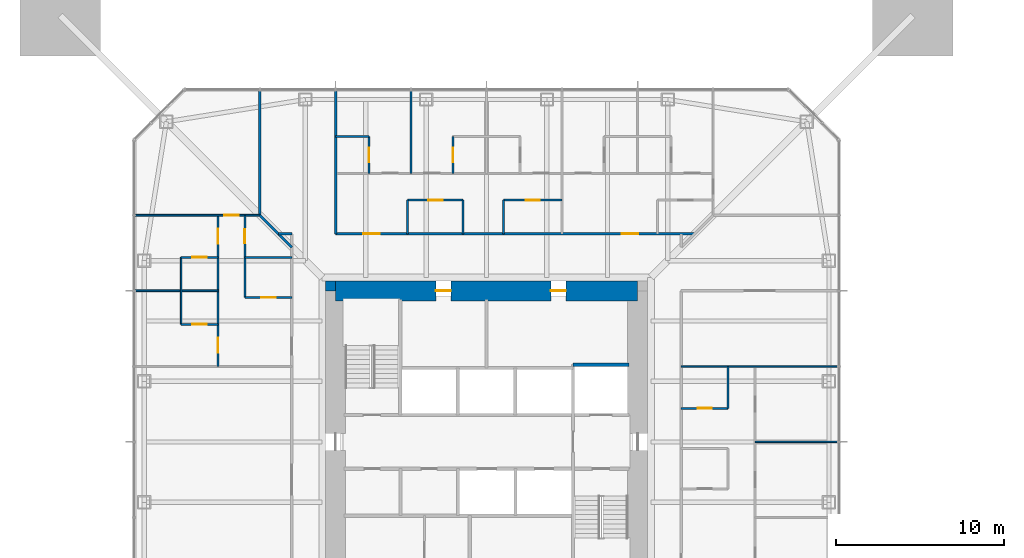
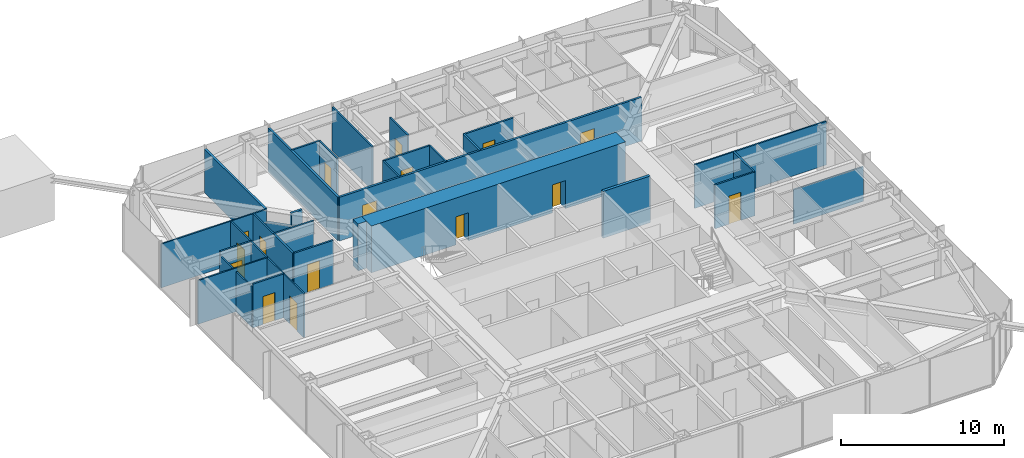
# One storey, part 13 of 23: 30 walls, 16 doors, 16 openings.
"""IFC4 building model written with IfcOpenShell, lengths in metres."""

import ifcopenshell
import ifcopenshell.guid

model = None  # the IFC model being written
_history = None  # IfcOwnerHistory: only IFC2X3 demands one
_inside = {}  # id of a spatial element -> (the spatial element, [elements in it])
_under = {}  # id of a project, library or spatial element -> (it, [spatial elements below it])
_declared = {}  # id of a project -> (the project, [libraries it declares])
_typed = {}  # id of a type object -> (the type object, [elements of that type])
_made_of = {}  # id of a material, layer set ... -> (it, [elements and type objects made of it])


def new_model(schema):
    """Start an empty IFC model of exactly this schema.

    Asked for "IFC4X3", IfcOpenShell would pick the latest addendum, in which some entities
    have other attributes; the version numbers below select the first issue.
    IFC2X3 requires an IfcOwnerHistory on every rooted entity: one is made here for all.
    """
    global model, _history
    if schema == "IFC4X3":
        model = ifcopenshell.file(schema_version=(4, 3, 0, 0))
    else:
        model = ifcopenshell.file(schema=schema)
    _inside.clear()
    _under.clear()
    _declared.clear()
    _typed.clear()
    _made_of.clear()
    _history = None
    if model.schema == "IFC2X3":
        org = make("IfcOrganization", Name="unknown")
        user = make(
            "IfcPersonAndOrganization",
            ThePerson=make("IfcPerson", FamilyName="unknown"),
            TheOrganization=org,
        )
        app = make(
            "IfcApplication",
            ApplicationDeveloper=org,
            Version="unknown",
            ApplicationFullName="unknown",
            ApplicationIdentifier="unknown",
        )
        _history = make(
            "IfcOwnerHistory",
            OwningUser=user,
            OwningApplication=app,
            ChangeAction="ADDED",
            CreationDate=0,
        )
    return model


def make(cls, **values):
    """One entity of the class cls with the attributes given. An attribute that is None is left unset."""
    return model.create_entity(
        cls, **{name: value for name, value in values.items() if value is not None}
    )


def rooted(cls, **values):
    """An entity with a GlobalId (a new one), such as an element, a storey or a relation."""
    return make(cls, GlobalId=ifcopenshell.guid.new(), OwnerHistory=_history, **values)


def si_unit(unit_type, name, prefix=None):
    """IfcSIUnit, for example si_unit("LENGTHUNIT", "METRE", prefix="MILLI")."""
    return make("IfcSIUnit", UnitType=unit_type, Prefix=prefix, Name=name)


def assignment(units):
    """IfcUnitAssignment: the units of a project."""
    return None if units is None else make("IfcUnitAssignment", Units=units)


def point(xyz):
    """IfcCartesianPoint."""
    return None if xyz is None else make("IfcCartesianPoint", Coordinates=xyz)


def direction(xyz):
    """IfcDirection."""
    return None if xyz is None else make("IfcDirection", DirectionRatios=xyz)


def frame(location, z_axis=None, x_axis=None):
    """IfcAxis2Placement3D, a coordinate frame: its origin and axes. An axis left out is left unset."""
    return make(
        "IfcAxis2Placement3D",
        Location=point(location),
        Axis=direction(z_axis),
        RefDirection=direction(x_axis),
    )


def frame_2d(location, x_axis=None):
    """IfcAxis2Placement2D, a coordinate frame in the plane: its origin and x axis."""
    return make(
        "IfcAxis2Placement2D", Location=point(location), RefDirection=direction(x_axis)
    )


def origin():
    """The frame at (0, 0, 0) with its axes left unset."""
    return frame((0.0, 0.0, 0.0))


def place(relative_to, where):
    """IfcLocalPlacement: puts the frame where relative to a parent placement (None: the world)."""
    return make(
        "IfcLocalPlacement", PlacementRelTo=relative_to, RelativePlacement=where
    )


def context(
    kind, dimensions, precision=None, world=None, true_north=None, identifier=None
):
    """IfcGeometricRepresentationContext, for example the 3D "Model" context."""
    return make(
        "IfcGeometricRepresentationContext",
        ContextIdentifier=identifier,
        ContextType=kind,
        CoordinateSpaceDimension=dimensions,
        Precision=precision,
        WorldCoordinateSystem=world,
        TrueNorth=true_north,
    )


def subcontext(parent, identifier, kind, view, scale=None):
    """IfcGeometricRepresentationSubContext, for example "Body" below "Model"."""
    return make(
        "IfcGeometricRepresentationSubContext",
        ContextIdentifier=identifier,
        ContextType=kind,
        ParentContext=parent,
        TargetScale=scale,
        TargetView=view,
    )


def project(units=None, contexts=None):
    """IfcProject with its units and contexts."""
    return rooted(
        "IfcProject",
        Name="project",
        RepresentationContexts=contexts,
        UnitsInContext=assignment(units),
    )


def spatial(cls, under=None, at=None, **own):
    """A site, building, storey or space (cls), placed at a placement, below another one or the project."""
    s = rooted(cls, ObjectPlacement=at, **own)
    if under is not None:
        _under.setdefault(under.id(), (under, []))[1].append(s)
    return s


def profile(cls, at=None, kind="AREA", **sizes):
    """A parametric profile (cls). Its sizes go by their IFC names, for example OverallWidth=200.0."""
    return make(cls, ProfileType=kind, Position=at, **sizes)


def rectangle(**sizes):
    """IfcRectangleProfileDef."""
    return profile("IfcRectangleProfileDef", **sizes)


def extrude(swept, where, along, depth):
    """IfcExtrudedAreaSolid: the profile swept, set in the frame where, extruded along a direction by depth."""
    return make(
        "IfcExtrudedAreaSolid",
        SweptArea=swept,
        Position=where,
        ExtrudedDirection=direction(along),
        Depth=depth,
    )


def shape(context_of_items, identifier, shape_type, items):
    """IfcShapeRepresentation: the items that make up one representation, for example the "Body"."""
    return make(
        "IfcShapeRepresentation",
        ContextOfItems=context_of_items,
        RepresentationIdentifier=identifier,
        RepresentationType=shape_type,
        Items=items,
    )


def material(Name=None, Category=None):
    """IfcMaterial."""
    return make("IfcMaterial", Name=Name, Category=Category)


def layer(
    of_material, thickness, ventilated=None, Name=None, Category=None, Priority=None
):
    """IfcMaterialLayer: one layer of a wall or slab, of a material (None: an air gap)."""
    return make(
        "IfcMaterialLayer",
        Material=of_material,
        LayerThickness=thickness,
        IsVentilated=ventilated,
        Name=Name,
        Category=Category,
        Priority=Priority,
    )


def layer_set(layers, Name=None):
    """IfcMaterialLayerSet."""
    return make("IfcMaterialLayerSet", MaterialLayers=layers, LayerSetName=Name)


def made_of(thing, what):
    """Note that an element or type object is made of a material, layer set ...; save() writes the relation."""
    if what is not None:
        _made_of.setdefault(what.id(), (what, []))[1].append(thing)
    return thing


def type_object(cls, material=None, **own):
    """A type object (cls), such as IfcWallType, which elements share."""
    return made_of(rooted(cls, **own), material)


def element(
    cls,
    number,
    at=None,
    inside=None,
    cuts=None,
    type_object=None,
    material=None,
    context=None,
    identifier="Body",
    shape_type=None,
    held_by="IfcProductDefinitionShape",
    body=None,
    shapes=None,
    **own,
):
    """One element of the class cls, such as IfcWall. Its Tag is "e" and its number.

    at: its placement. inside: the storey or other place that contains it. cuts: it is an
    opening in that element (IfcRelVoidsElement). A single representation is given by context,
    identifier, shape_type and body (its items); several are given by shapes. held_by: the class
    of the entity that holds the representations. save() writes the other relations.
    """
    e = rooted(cls, Tag="e%d" % number, ObjectPlacement=at, **own)
    if body is not None:
        shapes = [shape(context, identifier, shape_type, body)]
    if shapes is not None:
        e.Representation = make(held_by, Representations=shapes)
    if inside is not None:
        _inside.setdefault(inside.id(), (inside, []))[1].append(e)
    if cuts is not None:
        rooted(
            "IfcRelVoidsElement", RelatingBuildingElement=cuts, RelatedOpeningElement=e
        )
    if type_object is not None:
        _typed.setdefault(type_object.id(), (type_object, []))[1].append(e)
    return made_of(e, material)


def fill(opening, filler):
    """IfcRelFillsElement: the door or window that sits in an opening."""
    return rooted(
        "IfcRelFillsElement",
        RelatingOpeningElement=opening,
        RelatedBuildingElement=filler,
    )


def aggregate(whole, parts):
    """IfcRelAggregates: a whole, such as a stair, and the parts it consists of."""
    return rooted("IfcRelAggregates", RelatingObject=whole, RelatedObjects=parts)


def save(model, path):
    """Write the relations noted so far, then the file.

    IfcRelAggregates (storeys below a building ...), IfcRelContainedInSpatialStructure (elements
    in a storey), IfcRelDefinesByType, IfcRelAssociatesMaterial and IfcRelDeclares: one each for
    every whole, place, type object, material and project.
    """
    for whole, parts in _under.values():
        aggregate(whole, parts)
    for where, things in _inside.values():
        rooted(
            "IfcRelContainedInSpatialStructure",
            RelatedElements=things,
            RelatingStructure=where,
        )
    for kind, things in _typed.values():
        rooted("IfcRelDefinesByType", RelatedObjects=things, RelatingType=kind)
    for what, things in _made_of.values():
        rooted("IfcRelAssociatesMaterial", RelatedObjects=things, RelatingMaterial=what)
    for by, libraries in _declared.values():
        rooted("IfcRelDeclares", RelatingContext=by, RelatedDefinitions=libraries)
    model.write(path)


model = new_model("IFC4")

# Units and contexts
model_context = context("Model", 3, precision=1e-05, world=origin(), true_north=direction((0.0, 1.0)))
body_context = subcontext(model_context, "Body", "Model", "MODEL_VIEW")
ifc_project = project(units=[si_unit("LENGTHUNIT", "METRE"), si_unit("AREAUNIT", "SQUARE_METRE"), si_unit("VOLUMEUNIT", "CUBIC_METRE"), si_unit("PLANEANGLEUNIT", "RADIAN"), si_unit("MASSUNIT", "GRAM", prefix="KILO")], contexts=[model_context])

# Site, building, storey
site_placement = place(None, origin())
site = spatial("IfcSite", under=ifc_project, at=site_placement, CompositionType="ELEMENT")
building_placement = place(site_placement, origin())
building = spatial("IfcBuilding", under=site, at=building_placement, Name="Iwan Alto Co-Living Towers", CompositionType="ELEMENT")
storey_placement = place(building_placement, frame((0.0, 0.0, 122.5)))
storey = spatial("IfcBuildingStorey", under=building, at=storey_placement, Name="L33", CompositionType="ELEMENT", Elevation=122.5)

# Wall
ifc_material_1 = material(Name="Gypsum board")
ifc_layer_1 = layer(ifc_material_1, 0.02490234375, Name="Board", Category="Finish")
ifc_material_2 = material(Name="Steel ASTM A1003 ST33H cold-formed studs", Category="steel")
ifc_layer_2 = layer(ifc_material_2, 0.10009765625, Name="Studs", Category="Framing")
ifc_layer_3 = layer(ifc_material_1, 0.02490234375, Name="Board", Category="Finish")
ifc_layer_set_1 = layer_set([ifc_layer_1, ifc_layer_2, ifc_layer_3], Name="CORRIDOR WALL 150")
wall_type_1 = type_object("IfcWallType", Name="CORRIDOR WALL 150", PredefinedType="PARTITIONING", material=ifc_layer_set_1)
wall_1_placement = place(storey_placement, frame((-12.39990234375, 12.39990234375, 0.0), z_axis=(0.0, 0.0, 1.0), x_axis=(1.0, 0.0, 0.0)))
element("IfcWall", 1, at=wall_1_placement, inside=storey, type_object=wall_type_1, Name="Partition L33", PredefinedType="PARTITIONING", context=body_context, shape_type="SweptSolid", body=[
    extrude(rectangle(XDim=0.7998046875, YDim=0.14990234375, at=frame_2d((0.39990234375, 0.0))), origin(), (0.0, 0.0, 1.0), 3.27001953125),
])

# Wall, openings, doors
wall_2_placement = place(storey_placement, frame((-9.0, 12.39990234375, 0.0), z_axis=(0.0, 0.0, 1.0), x_axis=(1.0, 0.0, 0.0)))
wall_2 = element("IfcWall", 2, at=wall_2_placement, inside=storey, type_object=wall_type_1, Name="Partition L33", PredefinedType="PARTITIONING", context=body_context, shape_type="SweptSolid", body=[
    extrude(rectangle(XDim=21.39990234375, YDim=0.14990234375, at=frame_2d((10.699951171875, 0.0))), origin(), (0.0, 0.0, 1.0), 3.27001953125),
])
opening_1_placement = place(wall_2_placement, frame((17.050048828125, 0.0, 0.0)))
opening_1 = element("IfcOpeningElement", 3, at=opening_1_placement, cuts=wall_2, Name="Opening D3", PredefinedType="OPENING", context=body_context, shape_type="SweptSolid", body=[
    extrude(rectangle(XDim=1.0, YDim=2.10009765625, at=frame_2d((0.5, 1.050048828125))), frame((0.0, 0.0849609375, 0.0), z_axis=(0.0, -1.0, 0.0), x_axis=(1.0, 0.0, 0.0)), (0.0, 0.0, 1.0), 0.169921875),
])
opening_2_placement = place(wall_2_placement, frame((1.64990234375, 0.0, 0.0)))
opening_2 = element("IfcOpeningElement", 4, at=opening_2_placement, cuts=wall_2, Name="Opening D3", PredefinedType="OPENING", context=body_context, shape_type="SweptSolid", body=[
    extrude(rectangle(XDim=1.0, YDim=2.10009765625, at=frame_2d((0.5, 1.050048828125))), frame((0.0, 0.0849609375, 0.0), z_axis=(0.0, -1.0, 0.0), x_axis=(1.0, 0.0, 0.0)), (0.0, 0.0, 1.0), 0.169921875),
])
ifc_material_3 = material(Name="Steel frame with timber leaf", Category="steel")
door_type_1 = type_object("IfcDoorType", Name="FLAT ENTRANCE DOOR FD30S 1000X2100", OperationType="SINGLE_SWING_LEFT", PredefinedType="DOOR", material=ifc_material_3)
door_1_placement = place(opening_1_placement, origin())
door_1 = element("IfcDoor", 5, at=door_1_placement, inside=storey, type_object=door_type_1, Name="Cluster lounge door L33", OperationType="SINGLE_SWING_RIGHT", OverallHeight=2.10009765625, OverallWidth=1.0, PredefinedType="DOOR", context=body_context, shape_type="SweptSolid", body=[
    extrude(rectangle(XDim=1.0, YDim=2.10009765625, at=frame_2d((0.5, 1.050048828125))), frame((0.0, 0.02490234375, 0.0), z_axis=(0.0, -1.0, 0.0), x_axis=(1.0, 0.0, 0.0)), (0.0, 0.0, 1.0), 0.050048828125),
])
fill(opening_1, door_1)
door_2_placement = place(opening_2_placement, origin())
door_2 = element("IfcDoor", 6, at=door_2_placement, inside=storey, type_object=door_type_1, Name="Cluster lounge and shared kitchen door L33", OperationType="SINGLE_SWING_LEFT", OverallHeight=2.10009765625, OverallWidth=1.0, PredefinedType="DOOR", context=body_context, shape_type="SweptSolid", body=[
    extrude(rectangle(XDim=1.0, YDim=2.10009765625, at=frame_2d((0.5, 1.050048828125))), frame((0.0, 0.02490234375, 0.0), z_axis=(0.0, -1.0, 0.0), x_axis=(1.0, 0.0, 0.0)), (0.0, 0.0, 1.0), 0.050048828125),
])
fill(opening_2, door_2)

# Walls
wall_3_placement = place(storey_placement, frame((-9.0, 12.39990234375, 0.0), z_axis=(0.0, 0.0, 1.0), x_axis=(0.0, 1.0, 0.0)))
element("IfcWall", 7, at=wall_3_placement, inside=storey, type_object=wall_type_1, Name="Partition L33", PredefinedType="PARTITIONING", context=body_context, shape_type="SweptSolid", body=[
    extrude(rectangle(XDim=8.5400390625, YDim=0.14990234375, at=frame_2d((4.27001953125, 0.0))), origin(), (0.0, 0.0, 1.0), 3.27001953125),
])
wall_4_placement = place(storey_placement, frame((-13.5, 13.5, 0.0), z_axis=(0.0, 0.0, 1.0), x_axis=(0.0, 1.0, 0.0)))
element("IfcWall", 8, at=wall_4_placement, inside=storey, type_object=wall_type_1, Name="Partition L33", PredefinedType="PARTITIONING", context=body_context, shape_type="SweptSolid", body=[
    extrude(rectangle(XDim=7.43994140625, YDim=0.14990234375, at=frame_2d((3.719970703125, 0.0))), origin(), (0.0, 0.0, 1.0), 3.27001953125),
])
wall_5_placement = place(storey_placement, frame((-11.60009765625, 11.60009765625, 0.0), z_axis=(0.0, 0.0, 1.0), x_axis=(-0.707106781187, 0.707106781187, 0.0)))
element("IfcWall", 9, at=wall_5_placement, inside=storey, type_object=wall_type_1, Name="Partition L33", PredefinedType="PARTITIONING", context=body_context, shape_type="SweptSolid", body=[
    extrude(rectangle(XDim=2.686767578125, YDim=0.14990234375, at=frame_2d((1.34326171875, 0.0))), origin(), (0.0, 0.0, 1.0), 2.343017578125),
])
ifc_layer_4 = layer(ifc_material_1, 0.012451171875, Name="Board", Category="Finish")
ifc_layer_5 = layer(ifc_material_2, 0.074951171875, Name="Studs", Category="Framing")
ifc_layer_6 = layer(ifc_material_1, 0.012451171875, Name="Board", Category="Finish")
ifc_layer_set_2 = layer_set([ifc_layer_4, ifc_layer_5, ifc_layer_6], Name="PARTITION 100")
wall_type_2 = type_object("IfcWallType", Name="PARTITION 100", PredefinedType="PARTITIONING", material=ifc_layer_set_2)
wall_6_placement = place(storey_placement, frame((16.0, 0.0, 0.0), z_axis=(0.0, 0.0, 1.0), x_axis=(1.0, 0.0, 0.0)))
element("IfcWall", 10, at=wall_6_placement, inside=storey, type_object=wall_type_2, Name="Partition L33", PredefinedType="PARTITIONING", context=body_context, shape_type="SweptSolid", body=[
    extrude(rectangle(XDim=4.93994140625, YDim=0.10009765625, at=frame_2d((2.469970703125, 0.0))), origin(), (0.0, 0.0, 1.0), 2.586669921875),
])
wall_7_placement = place(storey_placement, frame((11.60009765625, 4.5, 0.0), z_axis=(0.0, 0.0, 1.0), x_axis=(1.0, 0.0, 0.0)))
element("IfcWall", 11, at=wall_7_placement, inside=storey, type_object=wall_type_2, Name="Partition L33", PredefinedType="PARTITIONING", context=body_context, shape_type="SweptSolid", body=[
    extrude(rectangle(XDim=9.33984375, YDim=0.10009765625, at=frame_2d((4.669921875, 0.0))), origin(), (0.0, 0.0, 1.0), 3.27001953125),
])
wall_8_placement = place(storey_placement, frame((-20.93994140625, 9.0, 0.0), z_axis=(0.0, 0.0, 1.0), x_axis=(1.0, 0.0, 0.0)))
element("IfcWall", 12, at=wall_8_placement, inside=storey, type_object=wall_type_2, Name="Partition L33", PredefinedType="PARTITIONING", context=body_context, shape_type="SweptSolid", body=[
    extrude(rectangle(XDim=4.93994140625, YDim=0.10009765625, at=frame_2d((2.469970703125, 0.0))), origin(), (0.0, 0.0, 1.0), 3.27001953125),
])

# Wall, opening, door
wall_9_placement = place(storey_placement, frame((-20.93994140625, 13.5, 0.0), z_axis=(0.0, 0.0, 1.0), x_axis=(1.0, 0.0, 0.0)))
wall_9 = element("IfcWall", 13, at=wall_9_placement, inside=storey, type_object=wall_type_2, Name="Partition L33", PredefinedType="PARTITIONING", context=body_context, shape_type="SweptSolid", body=[
    extrude(rectangle(XDim=7.43994140625, YDim=0.10009765625, at=frame_2d((3.719970703125, 0.0))), origin(), (0.0, 0.0, 1.0), 3.27001953125),
])
opening_3_placement = place(wall_9_placement, frame((5.31494140625, 0.0, 0.0)))
opening_3 = element("IfcOpeningElement", 14, at=opening_3_placement, cuts=wall_9, Name="Opening D2", PredefinedType="OPENING", context=body_context, shape_type="SweptSolid", body=[
    extrude(rectangle(XDim=0.85009765625, YDim=2.10009765625, at=frame_2d((0.425048828125, 1.050048828125))), frame((0.0, 0.06005859375, 0.0), z_axis=(0.0, -1.0, 0.0), x_axis=(1.0, 0.0, 0.0)), (0.0, 0.0, 1.0), 0.1201171875),
])
ifc_material_4 = material(Name="Timber leaf in steel frame", Category="steel")
door_type_2 = type_object("IfcDoorType", Name="ROOM DOOR 850X2100", OperationType="SINGLE_SWING_LEFT", PredefinedType="DOOR", material=ifc_material_4)
door_3_placement = place(opening_3_placement, origin())
door_3 = element("IfcDoor", 15, at=door_3_placement, inside=storey, type_object=door_type_2, Name="Shared kitchen and lounge door L33", OperationType="SINGLE_SWING_RIGHT", OverallHeight=2.10009765625, OverallWidth=0.85009765625, PredefinedType="DOOR", context=body_context, shape_type="SweptSolid", body=[
    extrude(rectangle(XDim=0.85009765625, YDim=2.10009765625, at=frame_2d((0.425048828125, 1.050048828125))), frame((0.0, 0.02490234375, 0.0), z_axis=(0.0, -1.0, 0.0), x_axis=(1.0, 0.0, 0.0)), (0.0, 0.0, 1.0), 0.050048828125),
])
fill(opening_3, door_3)

# Wall
wall_10_placement = place(storey_placement, frame((-4.5, 16.0, 0.0), z_axis=(0.0, 0.0, 1.0), x_axis=(0.0, 1.0, 0.0)))
element("IfcWall", 16, at=wall_10_placement, inside=storey, type_object=wall_type_2, Name="Partition L33", PredefinedType="PARTITIONING", context=body_context, shape_type="SweptSolid", body=[
    extrude(rectangle(XDim=4.93994140625, YDim=0.10009765625, at=frame_2d((2.469970703125, 0.0))), origin(), (0.0, 0.0, 1.0), 3.27001953125),
])

# Wall, openings, doors
wall_11_placement = place(storey_placement, frame((-16.0, 4.5, 0.0), z_axis=(0.0, 0.0, 1.0), x_axis=(0.0, 1.0, 0.0)))
wall_11 = element("IfcWall", 17, at=wall_11_placement, inside=storey, type_object=wall_type_2, Name="Partition L33", PredefinedType="PARTITIONING", context=body_context, shape_type="SweptSolid", body=[
    extrude(rectangle(XDim=9.0, YDim=0.10009765625, at=frame_2d((4.5, 0.0))), origin(), (0.0, 0.0, 1.0), 3.27001953125),
])
opening_4_placement = place(wall_11_placement, frame((7.300048828125, 0.0, 0.0)))
opening_4 = element("IfcOpeningElement", 18, at=opening_4_placement, cuts=wall_11, Name="Opening D1", PredefinedType="OPENING", context=body_context, shape_type="SweptSolid", body=[
    extrude(rectangle(XDim=0.89990234375, YDim=2.10009765625, at=frame_2d((0.449951171875, 1.050048828125))), frame((0.0, 0.06005859375, 0.0), z_axis=(0.0, -1.0, 0.0), x_axis=(1.0, 0.0, 0.0)), (0.0, 0.0, 1.0), 0.1201171875),
])
opening_5_placement = place(wall_11_placement, frame((0.800048828125, 0.0, 0.0)))
opening_5 = element("IfcOpeningElement", 19, at=opening_5_placement, cuts=wall_11, Name="Opening D1", PredefinedType="OPENING", context=body_context, shape_type="SweptSolid", body=[
    extrude(rectangle(XDim=0.89990234375, YDim=2.10009765625, at=frame_2d((0.449951171875, 1.050048828125))), frame((0.0, 0.06005859375, 0.0), z_axis=(0.0, -1.0, 0.0), x_axis=(1.0, 0.0, 0.0)), (0.0, 0.0, 1.0), 0.1201171875),
])
ifc_material_5 = material(Name="Timber leaf in steel frame", Category="steel")
door_type_3 = type_object("IfcDoorType", Name="BEDROOM DOOR 900X2100", OperationType="SINGLE_SWING_LEFT", PredefinedType="DOOR", material=ifc_material_5)
door_4_placement = place(opening_4_placement, frame((0.89990234375, 0.0, 0.0), z_axis=(0.0, 0.0, 1.0), x_axis=(-1.0, 0.0, 0.0)))
door_4 = element("IfcDoor", 20, at=door_4_placement, inside=storey, type_object=door_type_3, Name="Study bedroom door L33", OperationType="SINGLE_SWING_LEFT", OverallHeight=2.10009765625, OverallWidth=0.89990234375, PredefinedType="DOOR", context=body_context, shape_type="SweptSolid", body=[
    extrude(rectangle(XDim=0.89990234375, YDim=2.10009765625, at=frame_2d((0.449951171875, 1.050048828125))), frame((0.0, 0.02490234375, 0.0), z_axis=(0.0, -1.0, 0.0), x_axis=(1.0, 0.0, 0.0)), (0.0, 0.0, 1.0), 0.050048828125),
])
fill(opening_4, door_4)
door_5_placement = place(opening_5_placement, frame((0.89990234375, 0.0, 0.0), z_axis=(0.0, 0.0, 1.0), x_axis=(-1.0, 0.0, 0.0)))
door_5 = element("IfcDoor", 21, at=door_5_placement, inside=storey, type_object=door_type_3, Name="Study bedroom door L33", OperationType="SINGLE_SWING_RIGHT", OverallHeight=2.10009765625, OverallWidth=0.89990234375, PredefinedType="DOOR", context=body_context, shape_type="SweptSolid", body=[
    extrude(rectangle(XDim=0.89990234375, YDim=2.10009765625, at=frame_2d((0.449951171875, 1.050048828125))), frame((0.0, 0.02490234375, 0.0), z_axis=(0.0, -1.0, 0.0), x_axis=(1.0, 0.0, 0.0)), (0.0, 0.0, 1.0), 0.050048828125),
])
fill(opening_5, door_5)

# Walls
wall_12_placement = place(storey_placement, frame((-18.199951171875, 7.0, 0.0), z_axis=(0.0, 0.0, 1.0), x_axis=(0.0, 1.0, 0.0)))
element("IfcWall", 22, at=wall_12_placement, inside=storey, type_object=wall_type_2, Name="Partition L33", PredefinedType="PARTITIONING", context=body_context, shape_type="SweptSolid", body=[
    extrude(rectangle(XDim=4.0, YDim=0.10009765625, at=frame_2d((2.0, 0.0))), origin(), (0.0, 0.0, 1.0), 3.0),
])
ifc_material_6 = material(Name="Concrete f'c 70 MPa", Category="concrete")
ifc_layer_7 = layer(ifc_material_6, 0.199951171875)
ifc_layer_set_3 = layer_set([ifc_layer_7], Name="SHAFT WALL 200")
wall_type_3 = type_object("IfcWallType", Name="SHAFT WALL 200", PredefinedType="SOLIDWALL", material=ifc_layer_set_3)
wall_13_placement = place(storey_placement, frame((5.14990234375, 4.60009765625, 0.0), z_axis=(0.0, 0.0, 1.0), x_axis=(1.0, 0.0, 0.0)))
element("IfcWall", 23, at=wall_13_placement, inside=storey, type_object=wall_type_3, Name="Shaft wall L33", PredefinedType="SOLIDWALL", context=body_context, shape_type="SweptSolid", body=[
    extrude(rectangle(XDim=3.340087890625, YDim=0.199951171875, at=frame_2d((1.669921875, 0.0))), origin(), (0.0, 0.0, 1.0), 3.5),
])
ifc_material_7 = material(Name="Concrete f'c 70 MPa", Category="concrete")
ifc_layer_8 = layer(ifc_material_7, 0.60009765625)
ifc_layer_set_4 = layer_set([ifc_layer_8], Name="T1 CORE CORNER FILL 600")
wall_type_4 = type_object("IfcWallType", Name="T1 CORE CORNER FILL 600", PredefinedType="SOLIDWALL", material=ifc_layer_set_4)
wall_14_placement = place(storey_placement, frame((-9.60009765625, 9.300048828125, 0.0), z_axis=(0.0, 0.0, 1.0), x_axis=(1.0, 0.0, 0.0)))
element("IfcWall", 24, at=wall_14_placement, inside=storey, type_object=wall_type_4, Name="T1 core corner NW L33", PredefinedType="SOLIDWALL", context=body_context, shape_type="SweptSolid", body=[
    extrude(rectangle(XDim=0.60009765625, YDim=0.60009765625, at=frame_2d((0.300048828125, 0.0))), origin(), (0.0, 0.0, 1.0), 3.5),
])

# Wall, openings, doors
ifc_material_8 = material(Name="Concrete f'c 70 MPa", Category="concrete")
ifc_layer_9 = layer(ifc_material_8, 1.199951171875)
ifc_layer_set_5 = layer_set([ifc_layer_9], Name="T1 CORE WALL 1200")
wall_type_5 = type_object("IfcWallType", Name="T1 CORE WALL 1200", PredefinedType="SHEAR", material=ifc_layer_set_5)
wall_15_placement = place(storey_placement, frame((9.0, 9.0, 0.0), z_axis=(0.0, 0.0, 1.0), x_axis=(-1.0, 0.0, 0.0)))
wall_15 = element("IfcWall", 25, at=wall_15_placement, inside=storey, type_object=wall_type_5, Name="T1 core wall N L33", PredefinedType="SHEAR", context=body_context, shape_type="SweptSolid", body=[
    extrude(rectangle(XDim=18.0, YDim=1.199951171875, at=frame_2d((9.0, 0.0))), origin(), (0.0, 0.0, 1.0), 3.5),
])
opening_6_placement = place(wall_15_placement, frame((11.125, 0.0, 0.0)))
opening_6 = element("IfcOpeningElement", 26, at=opening_6_placement, cuts=wall_15, Name="Opening D8", PredefinedType="OPENING", context=body_context, shape_type="SweptSolid", body=[
    extrude(rectangle(XDim=0.89990234375, YDim=2.10009765625, at=frame_2d((0.449951171875, 1.050048828125))), frame((0.0, 0.60986328125, 0.0), z_axis=(0.0, -1.0, 0.0), x_axis=(1.0, 0.0, 0.0)), (0.0, 0.0, 1.0), 1.219970703125),
])
opening_7_placement = place(wall_15_placement, frame((4.27490234375, 0.0, 0.0)))
opening_7 = element("IfcOpeningElement", 27, at=opening_7_placement, cuts=wall_15, Name="Opening D8", PredefinedType="OPENING", context=body_context, shape_type="SweptSolid", body=[
    extrude(rectangle(XDim=0.89990234375, YDim=2.10009765625, at=frame_2d((0.449951171875, 1.050048828125))), frame((0.0, 0.60986328125, 0.0), z_axis=(0.0, -1.0, 0.0), x_axis=(1.0, 0.0, 0.0)), (0.0, 0.0, 1.0), 1.219970703125),
])
ifc_material_9 = material(Name="Steel frame with timber leaf", Category="steel")
door_type_4 = type_object("IfcDoorType", Name="RISER DOOR FD120 900X2100", OperationType="SINGLE_SWING_LEFT", PredefinedType="DOOR", material=ifc_material_9)
door_6_placement = place(opening_6_placement, origin())
door_6 = element("IfcDoor", 28, at=door_6_placement, inside=storey, type_object=door_type_4, Name="Electrical riser core door L33", OperationType="SINGLE_SWING_RIGHT", OverallHeight=2.10009765625, OverallWidth=0.89990234375, PredefinedType="DOOR", context=body_context, shape_type="SweptSolid", body=[
    extrude(rectangle(XDim=0.89990234375, YDim=2.10009765625, at=frame_2d((0.449951171875, 1.050048828125))), frame((0.0, 0.02490234375, 0.0), z_axis=(0.0, -1.0, 0.0), x_axis=(1.0, 0.0, 0.0)), (0.0, 0.0, 1.0), 0.050048828125),
])
fill(opening_6, door_6)
door_7_placement = place(opening_7_placement, origin())
door_7 = element("IfcDoor", 29, at=door_7_placement, inside=storey, type_object=door_type_4, Name="Water and drainage riser core door L33", OperationType="SINGLE_SWING_RIGHT", OverallHeight=2.10009765625, OverallWidth=0.89990234375, PredefinedType="DOOR", context=body_context, shape_type="SweptSolid", body=[
    extrude(rectangle(XDim=0.89990234375, YDim=2.10009765625, at=frame_2d((0.449951171875, 1.050048828125))), frame((0.0, 0.02490234375, 0.0), z_axis=(0.0, -1.0, 0.0), x_axis=(1.0, 0.0, 0.0)), (0.0, 0.0, 1.0), 0.050048828125),
])
fill(opening_7, door_7)

# Wall, opening, door
ifc_material_10 = material(Name="Cement board")
ifc_layer_10 = layer(ifc_material_10, 0.012451171875, Name="Board", Category="Finish")
ifc_layer_11 = layer(ifc_material_2, 0.094970703125, Name="Studs", Category="Framing")
ifc_layer_12 = layer(ifc_material_10, 0.012451171875, Name="Board", Category="Finish")
ifc_layer_set_6 = layer_set([ifc_layer_10, ifc_layer_11, ifc_layer_12], Name="WET AREA PARTITION 120")
wall_type_6 = type_object("IfcWallType", Name="WET AREA PARTITION 120", PredefinedType="PARTITIONING", material=ifc_layer_set_6)
wall_16_placement = place(storey_placement, frame((11.60009765625, 2.0, 0.0), z_axis=(0.0, 0.0, 1.0), x_axis=(1.0, 0.0, 0.0)))
wall_16 = element("IfcWall", 30, at=wall_16_placement, inside=storey, type_object=wall_type_6, Name="Partition L33", PredefinedType="PARTITIONING", context=body_context, shape_type="SweptSolid", body=[
    extrude(rectangle(XDim=2.7998046875, YDim=0.1201171875, at=frame_2d((1.39990234375, 0.0))), origin(), (0.0, 0.0, 1.0), 3.27001953125),
])
opening_8_placement = place(wall_16_placement, frame((0.97509765625, 0.0, 0.0)))
opening_8 = element("IfcOpeningElement", 31, at=opening_8_placement, cuts=wall_16, Name="Opening D2", PredefinedType="OPENING", context=body_context, shape_type="SweptSolid", body=[
    extrude(rectangle(XDim=0.85009765625, YDim=2.10009765625, at=frame_2d((0.425048828125, 1.050048828125))), frame((0.0, 0.070068359375, 0.0), z_axis=(0.0, -1.0, 0.0), x_axis=(1.0, 0.0, 0.0)), (0.0, 0.0, 1.0), 0.14013671875),
])
door_8_placement = place(opening_8_placement, frame((0.85009765625, 0.0, 0.0), z_axis=(0.0, 0.0, 1.0), x_axis=(-1.0, 0.0, 0.0)))
door_8 = element("IfcDoor", 32, at=door_8_placement, inside=storey, type_object=door_type_2, Name="Laundry door L33", OperationType="SINGLE_SWING_RIGHT", OverallHeight=2.10009765625, OverallWidth=0.85009765625, PredefinedType="DOOR", context=body_context, shape_type="SweptSolid", body=[
    extrude(rectangle(XDim=0.85009765625, YDim=2.10009765625, at=frame_2d((0.425048828125, 1.050048828125))), frame((0.0, 0.02490234375, 0.0), z_axis=(0.0, -1.0, 0.0), x_axis=(1.0, 0.0, 0.0)), (0.0, 0.0, 1.0), 0.050048828125),
])
fill(opening_8, door_8)

wall_17_placement = place(storey_placement, frame((-18.199951171875, 7.0, 0.0), z_axis=(0.0, 0.0, 1.0), x_axis=(1.0, 0.0, 0.0)))
wall_17 = element("IfcWall", 33, at=wall_17_placement, inside=storey, type_object=wall_type_6, Name="Partition L33", PredefinedType="PARTITIONING", context=body_context, shape_type="SweptSolid", body=[
    extrude(rectangle(XDim=2.199951171875, YDim=0.1201171875, at=frame_2d((1.10009765625, 0.0))), origin(), (0.0, 0.0, 1.0), 3.27001953125),
])
opening_9_placement = place(wall_17_placement, frame((0.675048828125, 0.0, 0.0)))
opening_9 = element("IfcOpeningElement", 34, at=opening_9_placement, cuts=wall_17, Name="Opening D2", PredefinedType="OPENING", context=body_context, shape_type="SweptSolid", body=[
    extrude(rectangle(XDim=0.85009765625, YDim=2.10009765625, at=frame_2d((0.425048828125, 1.050048828125))), frame((0.0, 0.070068359375, 0.0), z_axis=(0.0, -1.0, 0.0), x_axis=(1.0, 0.0, 0.0)), (0.0, 0.0, 1.0), 0.14013671875),
])
door_9_placement = place(opening_9_placement, frame((0.85009765625, 0.0, 0.0), z_axis=(0.0, 0.0, 1.0), x_axis=(-1.0, 0.0, 0.0)))
door_9 = element("IfcDoor", 35, at=door_9_placement, inside=storey, type_object=door_type_2, Name="En-suite shower room door L33", OperationType="SINGLE_SWING_LEFT", OverallHeight=2.10009765625, OverallWidth=0.85009765625, PredefinedType="DOOR", context=body_context, shape_type="SweptSolid", body=[
    extrude(rectangle(XDim=0.85009765625, YDim=2.10009765625, at=frame_2d((0.425048828125, 1.050048828125))), frame((0.0, 0.02490234375, 0.0), z_axis=(0.0, -1.0, 0.0), x_axis=(1.0, 0.0, 0.0)), (0.0, 0.0, 1.0), 0.050048828125),
])
fill(opening_9, door_9)

wall_18_placement = place(storey_placement, frame((-14.39990234375, 8.60009765625, 0.0), z_axis=(0.0, 0.0, 1.0), x_axis=(1.0, 0.0, 0.0)))
wall_18 = element("IfcWall", 36, at=wall_18_placement, inside=storey, type_object=wall_type_6, Name="Partition L33", PredefinedType="PARTITIONING", context=body_context, shape_type="SweptSolid", body=[
    extrude(rectangle(XDim=2.7998046875, YDim=0.1201171875, at=frame_2d((1.39990234375, 0.0))), origin(), (0.0, 0.0, 1.0), 3.27001953125),
])
opening_10_placement = place(wall_18_placement, frame((0.97509765625, 0.0, 0.0)))
opening_10 = element("IfcOpeningElement", 37, at=opening_10_placement, cuts=wall_18, Name="Opening D2", PredefinedType="OPENING", context=body_context, shape_type="SweptSolid", body=[
    extrude(rectangle(XDim=0.85009765625, YDim=2.10009765625, at=frame_2d((0.425048828125, 1.050048828125))), frame((0.0, 0.070068359375, 0.0), z_axis=(0.0, -1.0, 0.0), x_axis=(1.0, 0.0, 0.0)), (0.0, 0.0, 1.0), 0.14013671875),
])
door_10_placement = place(opening_10_placement, frame((0.85009765625, 0.0, 0.0), z_axis=(0.0, 0.0, 1.0), x_axis=(-1.0, 0.0, 0.0)))
door_10 = element("IfcDoor", 38, at=door_10_placement, inside=storey, type_object=door_type_2, Name="Accessible bathroom door L33", OperationType="SINGLE_SWING_LEFT", OverallHeight=2.10009765625, OverallWidth=0.85009765625, PredefinedType="DOOR", context=body_context, shape_type="SweptSolid", body=[
    extrude(rectangle(XDim=0.85009765625, YDim=2.10009765625, at=frame_2d((0.425048828125, 1.050048828125))), frame((0.0, 0.02490234375, 0.0), z_axis=(0.0, -1.0, 0.0), x_axis=(1.0, 0.0, 0.0)), (0.0, 0.0, 1.0), 0.050048828125),
])
fill(opening_10, door_10)

wall_19_placement = place(storey_placement, frame((-18.199951171875, 11.0, 0.0), z_axis=(0.0, 0.0, 1.0), x_axis=(1.0, 0.0, 0.0)))
wall_19 = element("IfcWall", 39, at=wall_19_placement, inside=storey, type_object=wall_type_6, Name="Partition L33", PredefinedType="PARTITIONING", context=body_context, shape_type="SweptSolid", body=[
    extrude(rectangle(XDim=2.199951171875, YDim=0.1201171875, at=frame_2d((1.10009765625, 0.0))), origin(), (0.0, 0.0, 1.0), 3.27001953125),
])
opening_11_placement = place(wall_19_placement, frame((0.675048828125, 0.0, 0.0)))
opening_11 = element("IfcOpeningElement", 40, at=opening_11_placement, cuts=wall_19, Name="Opening D2", PredefinedType="OPENING", context=body_context, shape_type="SweptSolid", body=[
    extrude(rectangle(XDim=0.85009765625, YDim=2.10009765625, at=frame_2d((0.425048828125, 1.050048828125))), frame((0.0, 0.070068359375, 0.0), z_axis=(0.0, -1.0, 0.0), x_axis=(1.0, 0.0, 0.0)), (0.0, 0.0, 1.0), 0.14013671875),
])
door_11_placement = place(opening_11_placement, origin())
door_11 = element("IfcDoor", 41, at=door_11_placement, inside=storey, type_object=door_type_2, Name="En-suite shower room door L33", OperationType="SINGLE_SWING_RIGHT", OverallHeight=2.10009765625, OverallWidth=0.85009765625, PredefinedType="DOOR", context=body_context, shape_type="SweptSolid", body=[
    extrude(rectangle(XDim=0.85009765625, YDim=2.10009765625, at=frame_2d((0.425048828125, 1.050048828125))), frame((0.0, 0.02490234375, 0.0), z_axis=(0.0, -1.0, 0.0), x_axis=(1.0, 0.0, 0.0)), (0.0, 0.0, 1.0), 0.050048828125),
])
fill(opening_11, door_11)

# Wall
wall_20_placement = place(storey_placement, frame((-14.39990234375, 11.0, 0.0), z_axis=(0.0, 0.0, 1.0), x_axis=(1.0, 0.0, 0.0)))
element("IfcWall", 42, at=wall_20_placement, inside=storey, type_object=wall_type_6, Name="Partition L33", PredefinedType="PARTITIONING", context=body_context, shape_type="SweptSolid", body=[
    extrude(rectangle(XDim=2.7998046875, YDim=0.1201171875, at=frame_2d((1.39990234375, 0.0))), origin(), (0.0, 0.0, 1.0), 3.27001953125),
])

# Wall, opening, door
wall_21_placement = place(storey_placement, frame((-4.699951171875, 14.39990234375, 0.0), z_axis=(0.0, 0.0, 1.0), x_axis=(1.0, 0.0, 0.0)))
wall_21 = element("IfcWall", 43, at=wall_21_placement, inside=storey, type_object=wall_type_6, Name="Partition L33", PredefinedType="PARTITIONING", context=body_context, shape_type="SweptSolid", body=[
    extrude(rectangle(XDim=3.300048828125, YDim=0.1201171875, at=frame_2d((1.64990234375, 0.0))), origin(), (0.0, 0.0, 1.0), 3.27001953125),
])
opening_12_placement = place(wall_21_placement, frame((1.22509765625, 0.0, 0.0)))
opening_12 = element("IfcOpeningElement", 44, at=opening_12_placement, cuts=wall_21, Name="Opening D2", PredefinedType="OPENING", context=body_context, shape_type="SweptSolid", body=[
    extrude(rectangle(XDim=0.85009765625, YDim=2.10009765625, at=frame_2d((0.425048828125, 1.050048828125))), frame((0.0, 0.070068359375, 0.0), z_axis=(0.0, -1.0, 0.0), x_axis=(1.0, 0.0, 0.0)), (0.0, 0.0, 1.0), 0.14013671875),
])
door_12_placement = place(opening_12_placement, origin())
door_12 = element("IfcDoor", 45, at=door_12_placement, inside=storey, type_object=door_type_2, Name="Accessible bathroom door L33", OperationType="SINGLE_SWING_LEFT", OverallHeight=2.10009765625, OverallWidth=0.85009765625, PredefinedType="DOOR", context=body_context, shape_type="SweptSolid", body=[
    extrude(rectangle(XDim=0.85009765625, YDim=2.10009765625, at=frame_2d((0.425048828125, 1.050048828125))), frame((0.0, 0.02490234375, 0.0), z_axis=(0.0, -1.0, 0.0), x_axis=(1.0, 0.0, 0.0)), (0.0, 0.0, 1.0), 0.050048828125),
])
fill(opening_12, door_12)

wall_22_placement = place(storey_placement, frame((1.0, 14.39990234375, 0.0), z_axis=(0.0, 0.0, 1.0), x_axis=(1.0, 0.0, 0.0)))
wall_22 = element("IfcWall", 46, at=wall_22_placement, inside=storey, type_object=wall_type_6, Name="Partition L33", PredefinedType="PARTITIONING", context=body_context, shape_type="SweptSolid", body=[
    extrude(rectangle(XDim=3.5, YDim=0.1201171875, at=frame_2d((1.75, 0.0))), origin(), (0.0, 0.0, 1.0), 3.27001953125),
])
opening_13_placement = place(wall_22_placement, frame((1.324951171875, 0.0, 0.0)))
opening_13 = element("IfcOpeningElement", 47, at=opening_13_placement, cuts=wall_22, Name="Opening D2", PredefinedType="OPENING", context=body_context, shape_type="SweptSolid", body=[
    extrude(rectangle(XDim=0.85009765625, YDim=2.10009765625, at=frame_2d((0.425048828125, 1.050048828125))), frame((0.0, 0.070068359375, 0.0), z_axis=(0.0, -1.0, 0.0), x_axis=(1.0, 0.0, 0.0)), (0.0, 0.0, 1.0), 0.14013671875),
])
door_13_placement = place(opening_13_placement, origin())
door_13 = element("IfcDoor", 48, at=door_13_placement, inside=storey, type_object=door_type_2, Name="Laundry door L33", OperationType="SINGLE_SWING_RIGHT", OverallHeight=2.10009765625, OverallWidth=0.85009765625, PredefinedType="DOOR", context=body_context, shape_type="SweptSolid", body=[
    extrude(rectangle(XDim=0.85009765625, YDim=2.10009765625, at=frame_2d((0.425048828125, 1.050048828125))), frame((0.0, 0.02490234375, 0.0), z_axis=(0.0, -1.0, 0.0), x_axis=(1.0, 0.0, 0.0)), (0.0, 0.0, 1.0), 0.050048828125),
])
fill(opening_13, door_13)

# Walls
wall_23_placement = place(storey_placement, frame((-9.0, 18.199951171875, 0.0), z_axis=(0.0, 0.0, 1.0), x_axis=(1.0, 0.0, 0.0)))
element("IfcWall", 49, at=wall_23_placement, inside=storey, type_object=wall_type_6, Name="Partition L33", PredefinedType="PARTITIONING", context=body_context, shape_type="SweptSolid", body=[
    extrude(rectangle(XDim=2.0, YDim=0.1201171875, at=frame_2d((1.0, 0.0))), origin(), (0.0, 0.0, 1.0), 3.27001953125),
])
wall_24_placement = place(storey_placement, frame((14.39990234375, 2.0, 0.0), z_axis=(0.0, 0.0, 1.0), x_axis=(0.0, 1.0, 0.0)))
element("IfcWall", 50, at=wall_24_placement, inside=storey, type_object=wall_type_6, Name="Partition L33", PredefinedType="PARTITIONING", context=body_context, shape_type="SweptSolid", body=[
    extrude(rectangle(XDim=2.5, YDim=0.1201171875, at=frame_2d((1.25, 0.0))), origin(), (0.0, 0.0, 1.0), 3.27001953125),
])
for number, where, z_axis, x_axis, name in (
    (51, (1.0, 12.39990234375, 0.0), (0.0, 0.0, 1.0), (0.0, 1.0, 0.0), "Partition L33"),
    (52, (-1.39990234375, 12.39990234375, 0.0), (0.0, 0.0, 1.0), (0.0, 1.0, 0.0), "Partition L33"),
):
    element("IfcWall", number, at=place(storey_placement, frame(where, z_axis=z_axis, x_axis=x_axis)), inside=storey, type_object=wall_type_6, Name=name, PredefinedType="PARTITIONING", context=body_context, shape_type="SweptSolid", body=[
        extrude(rectangle(XDim=2.0, YDim=0.1201171875, at=frame_2d((1.0, 0.0))), origin(), (0.0, 0.0, 1.0), 3.27001953125),
    ])

# Wall, opening, door
wall_25_placement = place(storey_placement, frame((-2.0, 16.0, 0.0), z_axis=(0.0, 0.0, 1.0), x_axis=(0.0, 1.0, 0.0)))
wall_25 = element("IfcWall", 53, at=wall_25_placement, inside=storey, type_object=wall_type_6, Name="Partition L33", PredefinedType="PARTITIONING", context=body_context, shape_type="SweptSolid", body=[
    extrude(rectangle(XDim=2.199951171875, YDim=0.1201171875, at=frame_2d((1.10009765625, 0.0))), origin(), (0.0, 0.0, 1.0), 3.27001953125),
])
opening_14_placement = place(wall_25_placement, frame((0.675048828125, 0.0, 0.0)))
opening_14 = element("IfcOpeningElement", 54, at=opening_14_placement, cuts=wall_25, Name="Opening D2", PredefinedType="OPENING", context=body_context, shape_type="SweptSolid", body=[
    extrude(rectangle(XDim=0.85009765625, YDim=2.10009765625, at=frame_2d((0.425048828125, 1.050048828125))), frame((0.0, 0.070068359375, 0.0), z_axis=(0.0, -1.0, 0.0), x_axis=(1.0, 0.0, 0.0)), (0.0, 0.0, 1.0), 0.14013671875),
])
door_14_placement = place(opening_14_placement, origin())
door_14 = element("IfcDoor", 55, at=door_14_placement, inside=storey, type_object=door_type_2, Name="En-suite shower room door L33", OperationType="SINGLE_SWING_LEFT", OverallHeight=2.10009765625, OverallWidth=0.85009765625, PredefinedType="DOOR", context=body_context, shape_type="SweptSolid", body=[
    extrude(rectangle(XDim=0.85009765625, YDim=2.10009765625, at=frame_2d((0.425048828125, 1.050048828125))), frame((0.0, 0.02490234375, 0.0), z_axis=(0.0, -1.0, 0.0), x_axis=(1.0, 0.0, 0.0)), (0.0, 0.0, 1.0), 0.050048828125),
])
fill(opening_14, door_14)

# Wall
wall_26_placement = place(storey_placement, frame((-4.699951171875, 12.39990234375, 0.0), z_axis=(0.0, 0.0, 1.0), x_axis=(0.0, 1.0, 0.0)))
element("IfcWall", 56, at=wall_26_placement, inside=storey, type_object=wall_type_6, Name="Partition L33", PredefinedType="PARTITIONING", context=body_context, shape_type="SweptSolid", body=[
    extrude(rectangle(XDim=2.0, YDim=0.1201171875, at=frame_2d((1.0, 0.0))), origin(), (0.0, 0.0, 1.0), 3.27001953125),
])

# Wall, opening, door
wall_27_placement = place(storey_placement, frame((-7.0, 16.0, 0.0), z_axis=(0.0, 0.0, 1.0), x_axis=(0.0, 1.0, 0.0)))
wall_27 = element("IfcWall", 57, at=wall_27_placement, inside=storey, type_object=wall_type_6, Name="Partition L33", PredefinedType="PARTITIONING", context=body_context, shape_type="SweptSolid", body=[
    extrude(rectangle(XDim=2.199951171875, YDim=0.1201171875, at=frame_2d((1.10009765625, 0.0))), origin(), (0.0, 0.0, 1.0), 3.27001953125),
])
opening_15_placement = place(wall_27_placement, frame((0.675048828125, 0.0, 0.0)))
opening_15 = element("IfcOpeningElement", 58, at=opening_15_placement, cuts=wall_27, Name="Opening D2", PredefinedType="OPENING", context=body_context, shape_type="SweptSolid", body=[
    extrude(rectangle(XDim=0.85009765625, YDim=2.10009765625, at=frame_2d((0.425048828125, 1.050048828125))), frame((0.0, 0.070068359375, 0.0), z_axis=(0.0, -1.0, 0.0), x_axis=(1.0, 0.0, 0.0)), (0.0, 0.0, 1.0), 0.14013671875),
])
door_15_placement = place(opening_15_placement, frame((0.85009765625, 0.0, 0.0), z_axis=(0.0, 0.0, 1.0), x_axis=(-1.0, 0.0, 0.0)))
door_15 = element("IfcDoor", 59, at=door_15_placement, inside=storey, type_object=door_type_2, Name="En-suite shower room door L33", OperationType="SINGLE_SWING_RIGHT", OverallHeight=2.10009765625, OverallWidth=0.85009765625, PredefinedType="DOOR", context=body_context, shape_type="SweptSolid", body=[
    extrude(rectangle(XDim=0.85009765625, YDim=2.10009765625, at=frame_2d((0.425048828125, 1.050048828125))), frame((0.0, 0.02490234375, 0.0), z_axis=(0.0, -1.0, 0.0), x_axis=(1.0, 0.0, 0.0)), (0.0, 0.0, 1.0), 0.050048828125),
])
fill(opening_15, door_15)

wall_28_placement = place(storey_placement, frame((-14.39990234375, 8.60009765625, 0.0), z_axis=(0.0, 0.0, 1.0), x_axis=(0.0, 1.0, 0.0)))
wall_28 = element("IfcWall", 60, at=wall_28_placement, inside=storey, type_object=wall_type_6, Name="Partition L33", PredefinedType="PARTITIONING", context=body_context, shape_type="SweptSolid", body=[
    extrude(rectangle(XDim=4.89990234375, YDim=0.1201171875, at=frame_2d((2.449951171875, 0.0))), origin(), (0.0, 0.0, 1.0), 3.27001953125),
])
opening_16_placement = place(wall_28_placement, frame((3.22509765625, 0.0, 0.0)))
opening_16 = element("IfcOpeningElement", 61, at=opening_16_placement, cuts=wall_28, Name="Opening D2", PredefinedType="OPENING", context=body_context, shape_type="SweptSolid", body=[
    extrude(rectangle(XDim=0.85009765625, YDim=2.10009765625, at=frame_2d((0.425048828125, 1.050048828125))), frame((0.0, 0.070068359375, 0.0), z_axis=(0.0, -1.0, 0.0), x_axis=(1.0, 0.0, 0.0)), (0.0, 0.0, 1.0), 0.14013671875),
])
door_16_placement = place(opening_16_placement, origin())
door_16 = element("IfcDoor", 62, at=door_16_placement, inside=storey, type_object=door_type_2, Name="Laundry door L33", OperationType="SINGLE_SWING_RIGHT", OverallHeight=2.10009765625, OverallWidth=0.85009765625, PredefinedType="DOOR", context=body_context, shape_type="SweptSolid", body=[
    extrude(rectangle(XDim=0.85009765625, YDim=2.10009765625, at=frame_2d((0.425048828125, 1.050048828125))), frame((0.0, 0.02490234375, 0.0), z_axis=(0.0, -1.0, 0.0), x_axis=(1.0, 0.0, 0.0)), (0.0, 0.0, 1.0), 0.050048828125),
])
fill(opening_16, door_16)

save(model, "model.ifc")
